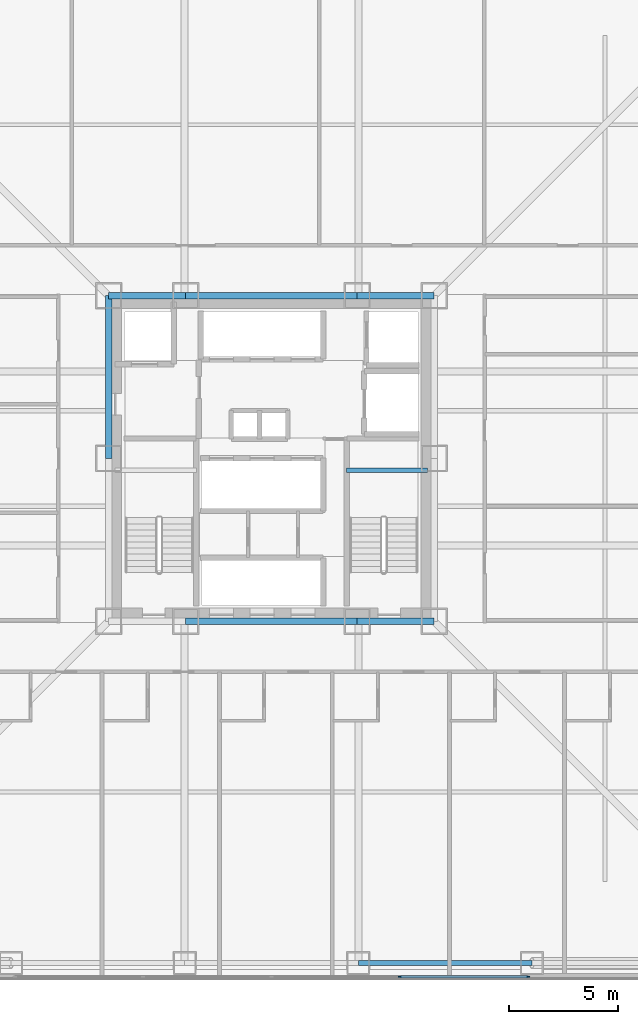
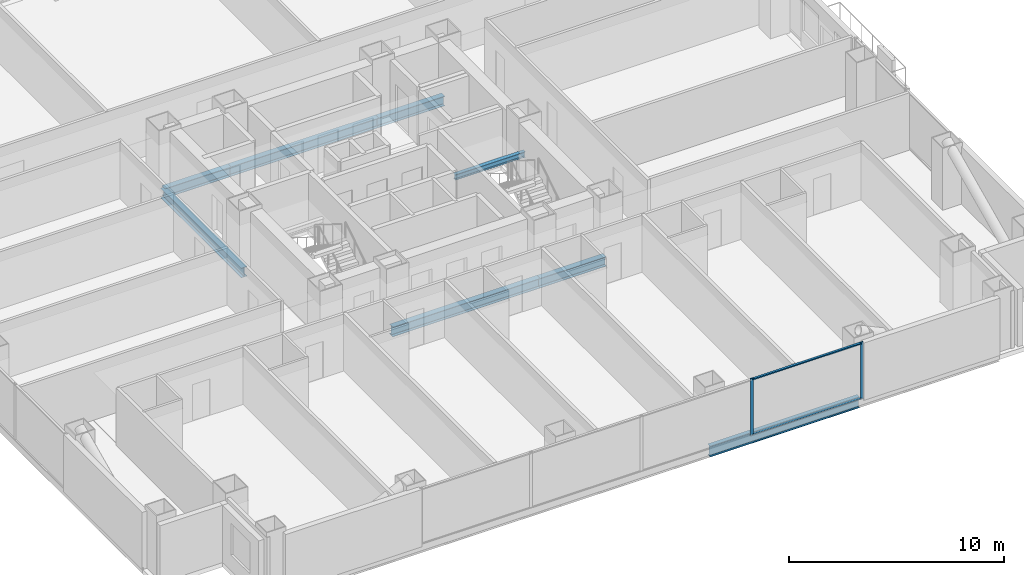
# One storey, part 7 of 20: 8 beams, 4 members, 1 element without a shape of its own.
"""IFC4 building model written with IfcOpenShell, lengths in metres."""

from ifc_helpers import new_model, si_unit, direction, frame, origin, origin_2d, place, context, subcontext, project, spatial, rectangle, i_section, extrude, material, layer, layer_set, material_profile, profile_set, type_object, element, aggregate, save


model = new_model("IFC4")

# Units and contexts
model_context = context("Model", 3, precision=1e-05, world=origin(), true_north=direction((0.0, 1.0)))
body_context = subcontext(model_context, "Body", "Model", "MODEL_VIEW")
ifc_project = project(units=[si_unit("LENGTHUNIT", "METRE"), si_unit("AREAUNIT", "SQUARE_METRE"), si_unit("VOLUMEUNIT", "CUBIC_METRE"), si_unit("PLANEANGLEUNIT", "RADIAN"), si_unit("MASSUNIT", "GRAM", prefix="KILO")], contexts=[model_context])

# Site, building, storey
site_placement = place(None, origin())
site = spatial("IfcSite", under=ifc_project, at=site_placement, CompositionType="ELEMENT")
building_placement = place(site_placement, origin())
building = spatial("IfcBuilding", under=site, at=building_placement, Name="Trevonay Congress Spire", CompositionType="ELEMENT")
storey_placement = place(building_placement, frame((0.0, 0.0, 76.0)))
storey = spatial("IfcBuildingStorey", under=building, at=storey_placement, Name="L19", CompositionType="ELEMENT", Elevation=76.0)

# Beams
ifc_material_1 = material(Name="Steel ASTM A572 Grade 50", Category="steel")
ifc_material_profile_1 = material_profile(ifc_material_1, i_section(OverallWidth=0.31201171875, OverallDepth=0.54296875, WebThickness=0.0126953125, FlangeThickness=0.020263671875, FilletRadius=0.014892578125, at=origin_2d()), Name="W530x150")
ifc_profile_set_1 = profile_set([ifc_material_profile_1], Name="Steel ASTM A572 Grade 50")
beam_type_1 = type_object("IfcBeamType", Name="BM-GIRD-W530X150", PredefinedType="BEAM", material=ifc_profile_set_1)
beam_1_placement = place(storey_placement, frame((-3.949951171875, -7.5, -0.521484375), z_axis=(1.0, 0.0, 0.0), x_axis=(0.0, 1.0, 0.0)))
element("IfcBeam", 1, at=beam_1_placement, inside=storey, type_object=beam_type_1, Name="L19 structural beam BM-L19-CR-S2", PredefinedType="BEAM", context=body_context, shape_type="SweptSolid", body=[
    extrude(i_section(OverallWidth=0.31201171875, OverallDepth=0.54296875, WebThickness=0.0126953125, FlangeThickness=0.020263671875, FilletRadius=0.014892578125, at=origin_2d()), origin(), (0.0, 0.0, 1.0), 7.89990234375),
])
for number, where, z_axis, x_axis, name in (
    (2, (3.949951171875, -7.5, -0.521484375), (1.0, 0.0, 0.0), (0.0, 1.0, 0.0), "L19 structural beam BM-L19-CR-S3"),
    (3, (-7.5, 7.5, -0.521484375), (1.0, 0.0, 0.0), (0.0, 1.0, 0.0), "L19 structural beam BM-L19-CR-N1"),
):
    element("IfcBeam", number, at=place(storey_placement, frame(where, z_axis=z_axis, x_axis=x_axis)), inside=storey, type_object=beam_type_1, Name=name, PredefinedType="BEAM", context=body_context, shape_type="SweptSolid", body=[
        extrude(i_section(OverallWidth=0.31201171875, OverallDepth=0.54296875, WebThickness=0.0126953125, FlangeThickness=0.020263671875, FilletRadius=0.014892578125, at=origin_2d()), origin(), (0.0, 0.0, 1.0), 3.550048828125),
    ])
beam_2_placement = place(storey_placement, frame((-3.949951171875, 7.5, -0.521484375), z_axis=(1.0, 0.0, 0.0), x_axis=(0.0, 1.0, 0.0)))
element("IfcBeam", 4, at=beam_2_placement, inside=storey, type_object=beam_type_1, Name="L19 structural beam BM-L19-CR-N2", PredefinedType="BEAM", context=body_context, shape_type="SweptSolid", body=[
    extrude(i_section(OverallWidth=0.31201171875, OverallDepth=0.54296875, WebThickness=0.0126953125, FlangeThickness=0.020263671875, FilletRadius=0.014892578125, at=origin_2d()), origin(), (0.0, 0.0, 1.0), 7.89990234375),
])
beam_3_placement = place(storey_placement, frame((3.949951171875, 7.5, -0.521484375), z_axis=(1.0, 0.0, 0.0), x_axis=(0.0, 1.0, 0.0)))
element("IfcBeam", 5, at=beam_3_placement, inside=storey, type_object=beam_type_1, Name="L19 structural beam BM-L19-CR-N3", PredefinedType="BEAM", context=body_context, shape_type="SweptSolid", body=[
    extrude(i_section(OverallWidth=0.31201171875, OverallDepth=0.54296875, WebThickness=0.0126953125, FlangeThickness=0.020263671875, FilletRadius=0.014892578125, at=origin_2d()), origin(), (0.0, 0.0, 1.0), 3.550048828125),
])
beam_4_placement = place(storey_placement, frame((-7.5, 0.0, -0.521484375), z_axis=(0.0, 1.0, 0.0), x_axis=(-1.0, 0.0, 0.0)))
element("IfcBeam", 6, at=beam_4_placement, inside=storey, type_object=beam_type_1, Name="L19 structural beam BM-L19-CR-W2", PredefinedType="BEAM", context=body_context, shape_type="SweptSolid", body=[
    extrude(i_section(OverallWidth=0.31201171875, OverallDepth=0.54296875, WebThickness=0.0126953125, FlangeThickness=0.020263671875, FilletRadius=0.014892578125, at=origin_2d()), origin(), (0.0, 0.0, 1.0), 7.5),
])
ifc_material_profile_2 = material_profile(ifc_material_1, i_section(OverallWidth=0.22998046875, OverallDepth=0.616943359375, WebThickness=0.01318359375, FlangeThickness=0.022216796875, FilletRadius=0.01611328125, at=origin_2d()), Name="W610x140")
ifc_profile_set_2 = profile_set([ifc_material_profile_2], Name="Steel ASTM A572 Grade 50")
beam_type_2 = type_object("IfcBeamType", Name="BM-RING-W610X140", PredefinedType="BEAM", material=ifc_profile_set_2)
beam_5_placement = place(storey_placement, frame((4.0, -23.25, -0.55859375), z_axis=(1.0, 0.0, 0.0), x_axis=(0.0, 1.0, 0.0)))
element("IfcBeam", 7, at=beam_5_placement, inside=storey, type_object=beam_type_2, Name="L19 structural beam BM-L19-PS4", PredefinedType="BEAM", context=body_context, shape_type="SweptSolid", body=[
    extrude(i_section(OverallWidth=0.22998046875, OverallDepth=0.616943359375, WebThickness=0.01318359375, FlangeThickness=0.022216796875, FilletRadius=0.01611328125, at=origin_2d()), origin(), (0.0, 0.0, 1.0), 8.0),
])

# Curtain wall, members
ifc_material_2 = material(Name="Pale Anodised Aluminium EN AW-6063-T6", Category="aluminium")
ifc_layer = layer(ifc_material_2, 0.179931640625, Name="Pale Anodised Aluminium EN AW-6063-T6")
ifc_layer_set = layer_set([ifc_layer], Name="Pale Anodised Aluminium EN AW-6063-T6")
curtain_wall_type = type_object("IfcCurtainWallType", Name="CW-SYS02-HOTEL-PALE-METAL", PredefinedType="NOTDEFINED", material=ifc_layer_set)
curtain_wall_placement = place(storey_placement, origin())
curtain_wall = element("IfcCurtainWall", 8, at=curtain_wall_placement, inside=storey, type_object=curtain_wall_type, Name="L19 S unitised curtain wall", PredefinedType="NOTDEFINED")
ifc_material_profile_3 = material_profile(ifc_material_2, rectangle(XDim=0.06005859375, YDim=0.159912109375, at=origin_2d()), Name="CW-MULLION-160-ALUMINIUM")
ifc_profile_set_3 = profile_set([ifc_material_profile_3], Name="Pale Anodised Aluminium EN AW-6063-T6")
member_type_1 = type_object("IfcMemberType", Name="CW-MULLION-160-ALUMINIUM", PredefinedType="MULLION", material=ifc_profile_set_3)
member_1_placement = place(storey_placement, frame((5.925048828125, -23.8798828125, 0.0), z_axis=(0.0, 0.0, 1.0), x_axis=(0.0, 1.0, 0.0)))
member_1 = element("IfcMember", 9, at=member_1_placement, type_object=member_type_1, Name="CW02 mullion 4", PredefinedType="MULLION", context=body_context, shape_type="SweptSolid", body=[
    extrude(rectangle(XDim=0.06005859375, YDim=0.159912109375, at=origin_2d()), origin(), (0.0, 0.0, 1.0), 3.25),
])
member_2_placement = place(storey_placement, frame((11.820068359375, -23.8798828125, 0.0), z_axis=(0.0, 0.0, 1.0), x_axis=(0.0, 1.0, 0.0)))
member_2 = element("IfcMember", 10, at=member_2_placement, type_object=member_type_1, Name="CW02 mullion 5", PredefinedType="MULLION", context=body_context, shape_type="SweptSolid", body=[
    extrude(rectangle(XDim=0.06005859375, YDim=0.159912109375, at=origin_2d()), origin(), (0.0, 0.0, 1.0), 3.25),
])
ifc_material_profile_4 = material_profile(ifc_material_2, rectangle(XDim=0.1201171875, YDim=0.06005859375, at=origin_2d()), Name="CW-TRANSOM-120-ALUMINIUM")
ifc_profile_set_4 = profile_set([ifc_material_profile_4], Name="Pale Anodised Aluminium EN AW-6063-T6")
member_type_2 = type_object("IfcMemberType", Name="CW-TRANSOM-120-ALUMINIUM", PredefinedType="USERDEFINED", material=ifc_profile_set_4)
member_3_placement = place(storey_placement, frame((5.955078125, -23.8798828125, 0.06005859375), z_axis=(1.0, 0.0, 0.0), x_axis=(0.0, 1.0, 0.0)))
member_3 = element("IfcMember", 11, at=member_3_placement, type_object=member_type_2, Name="CW02 transom 4.1", ObjectType="TRANSOM", PredefinedType="USERDEFINED", context=body_context, shape_type="SweptSolid", body=[
    extrude(rectangle(XDim=0.1201171875, YDim=0.06005859375, at=origin_2d()), origin(), (0.0, 0.0, 1.0), 5.8349609375),
])
member_4_placement = place(storey_placement, frame((5.955078125, -23.8798828125, 3.18994140625), z_axis=(1.0, 0.0, 0.0), x_axis=(0.0, 1.0, 0.0)))
member_4 = element("IfcMember", 12, at=member_4_placement, type_object=member_type_2, Name="CW02 transom 4.2", ObjectType="TRANSOM", PredefinedType="USERDEFINED", context=body_context, shape_type="SweptSolid", body=[
    extrude(rectangle(XDim=0.1201171875, YDim=0.06005859375, at=origin_2d()), origin(), (0.0, 0.0, 1.0), 5.8349609375),
])
aggregate(curtain_wall, [member_1, member_2, member_3, member_4])

# Beam
ifc_material_profile_5 = material_profile(ifc_material_1, i_section(OverallWidth=0.2041015625, OverallDepth=0.305908203125, WebThickness=0.008544921875, FlangeThickness=0.0146484375, FilletRadius=0.010986328125, at=origin_2d()), Name="W310x67")
ifc_profile_set_5 = profile_set([ifc_material_profile_5], Name="Steel ASTM A572 Grade 50")
beam_type_3 = type_object("IfcBeamType", Name="LN-CORE-W310X67", PredefinedType="LINTEL", material=ifc_profile_set_5)
beam_6_placement = place(storey_placement, frame((3.449951171875, -0.550048828125, 1.39697265625), z_axis=(1.0, 0.0, 0.0), x_axis=(0.0, 1.0, 0.0)))
element("IfcBeam", 13, at=beam_6_placement, inside=storey, type_object=beam_type_3, Name="L19 structural beam BM-L19-HL-ST2", PredefinedType="LINTEL", context=body_context, shape_type="SweptSolid", body=[
    extrude(i_section(OverallWidth=0.2041015625, OverallDepth=0.305908203125, WebThickness=0.008544921875, FlangeThickness=0.0146484375, FilletRadius=0.010986328125, at=origin_2d()), origin(), (0.0, 0.0, 1.0), 3.75),
])

save(model, "model.ifc")
